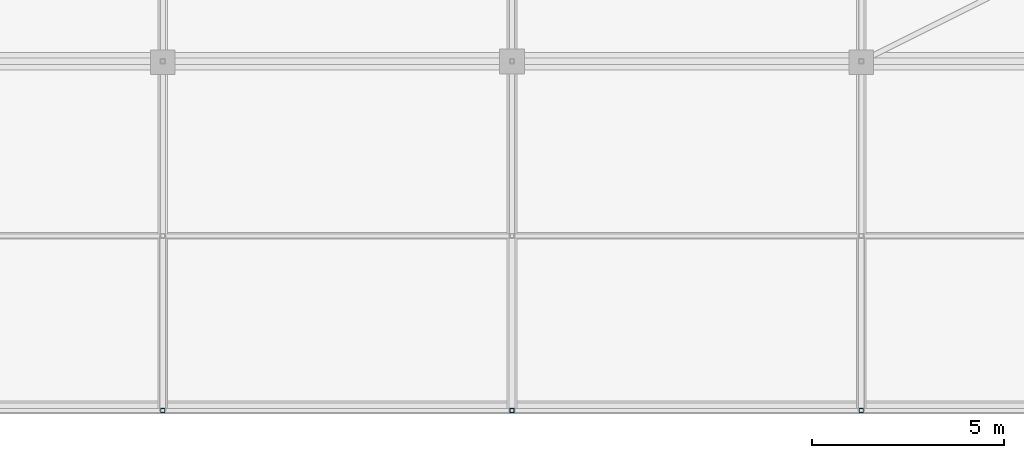
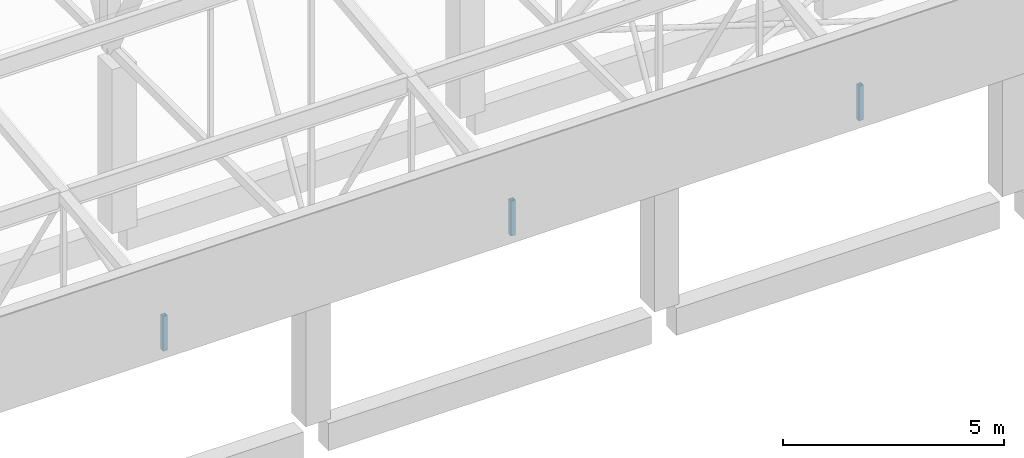
# One storey, part 412 of 500: 3 members.
"""IFC4 building model written with IfcOpenShell, lengths in metres."""

from ifc_helpers import new_model, si_unit, direction, frame, origin, origin_2d, place, context, subcontext, project, spatial, hollow_rectangle, extrude, material, material_profile, profile_set, type_object, element, save


model = new_model("IFC4")

# Units and contexts
model_context = context("Model", 3, precision=1e-05, world=origin(), true_north=direction((0.0, 1.0)))
body_context = subcontext(model_context, "Body", "Model", "MODEL_VIEW")
ifc_project = project(units=[si_unit("LENGTHUNIT", "METRE"), si_unit("AREAUNIT", "SQUARE_METRE"), si_unit("VOLUMEUNIT", "CUBIC_METRE"), si_unit("PLANEANGLEUNIT", "RADIAN"), si_unit("MASSUNIT", "GRAM", prefix="KILO")], contexts=[model_context])

# Site, building, storey
site_placement = place(None, origin())
site = spatial("IfcSite", under=ifc_project, at=site_placement, CompositionType="ELEMENT")
building_placement = place(site_placement, origin())
building = spatial("IfcBuilding", under=site, at=building_placement, Name="Shirokan Park Arena", CompositionType="ELEMENT")
storey_placement = place(building_placement, frame((0.0, 0.0, 29.1201171875)))
storey = spatial("IfcBuildingStorey", under=building, at=storey_placement, Name="L06", CompositionType="ELEMENT", Elevation=29.1201171875)

# Members
ifc_material = material(Name="Steel ASTM A500 Grade C", Category="steel")
ifc_material_profile = material_profile(ifc_material, hollow_rectangle(XDim=0.114013671875, YDim=0.114013671875, WallThickness=0.00634765625, at=origin_2d()), Name="HSS114.3X114.3X6.4")
ifc_profile_set = profile_set([ifc_material_profile], Name="Steel ASTM A500 Grade C")
member_type = type_object("IfcMemberType", Name="Truss post HSS114.3X114.3X6.4", PredefinedType="POST", material=ifc_profile_set)
for number, where, z_axis, x_axis, name in (
    (1, (72.800048828125, -9.10009765625, 10.531982421875), (0.0, 0.0, 1.0), (1.0, 0.0, 0.0), "Truss T09 post 1"),
    (2, (81.89990234375, -9.10009765625, 10.531982421875), (0.0, 0.0, 1.0), (1.0, 0.0, 0.0), "Truss T10 post 1"),
    (3, (91.0, -9.10009765625, 10.531982421875), (0.0, 0.0, 1.0), (1.0, 0.0, 0.0), "Truss T11 post 1"),
):
    element("IfcMember", number, at=place(storey_placement, frame(where, z_axis=z_axis, x_axis=x_axis)), inside=storey, type_object=member_type, Name=name, PredefinedType="POST", context=body_context, shape_type="SweptSolid", body=[
        extrude(hollow_rectangle(XDim=0.114013671875, YDim=0.114013671875, WallThickness=0.00634765625, at=origin_2d()), origin(), (0.0, 0.0, 1.0), 0.969482421875),
    ])

save(model, "model.ifc")
